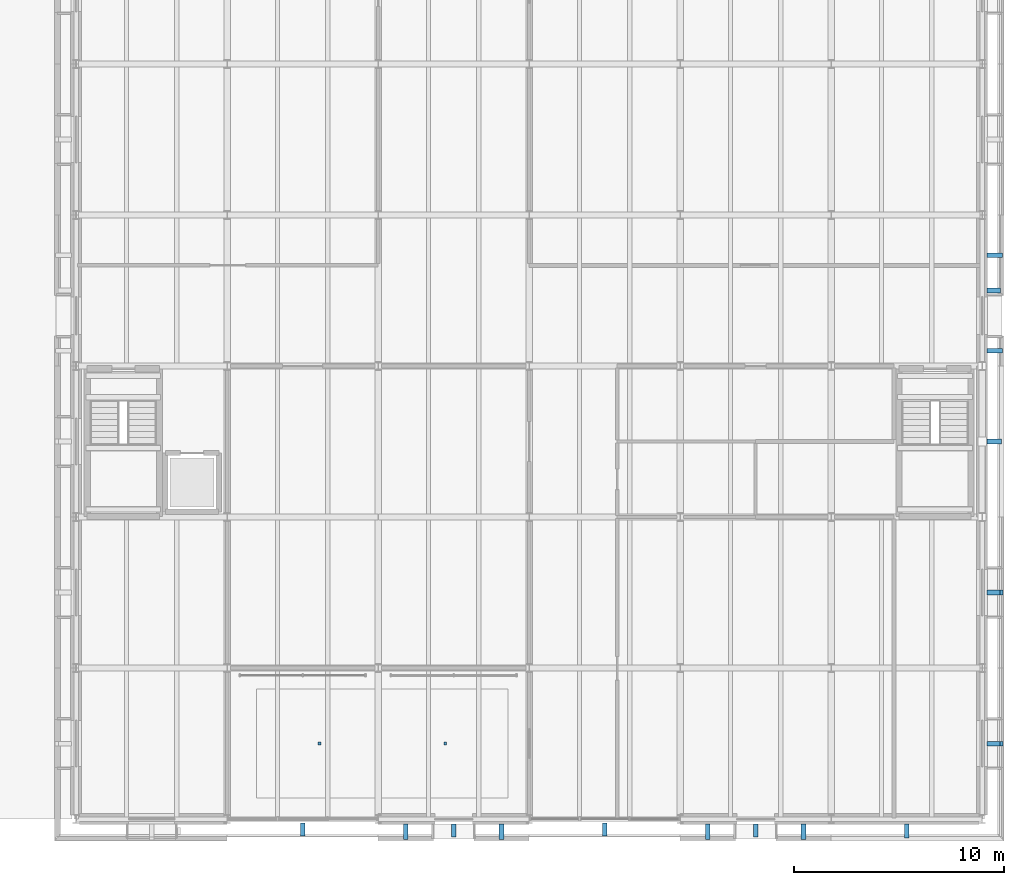
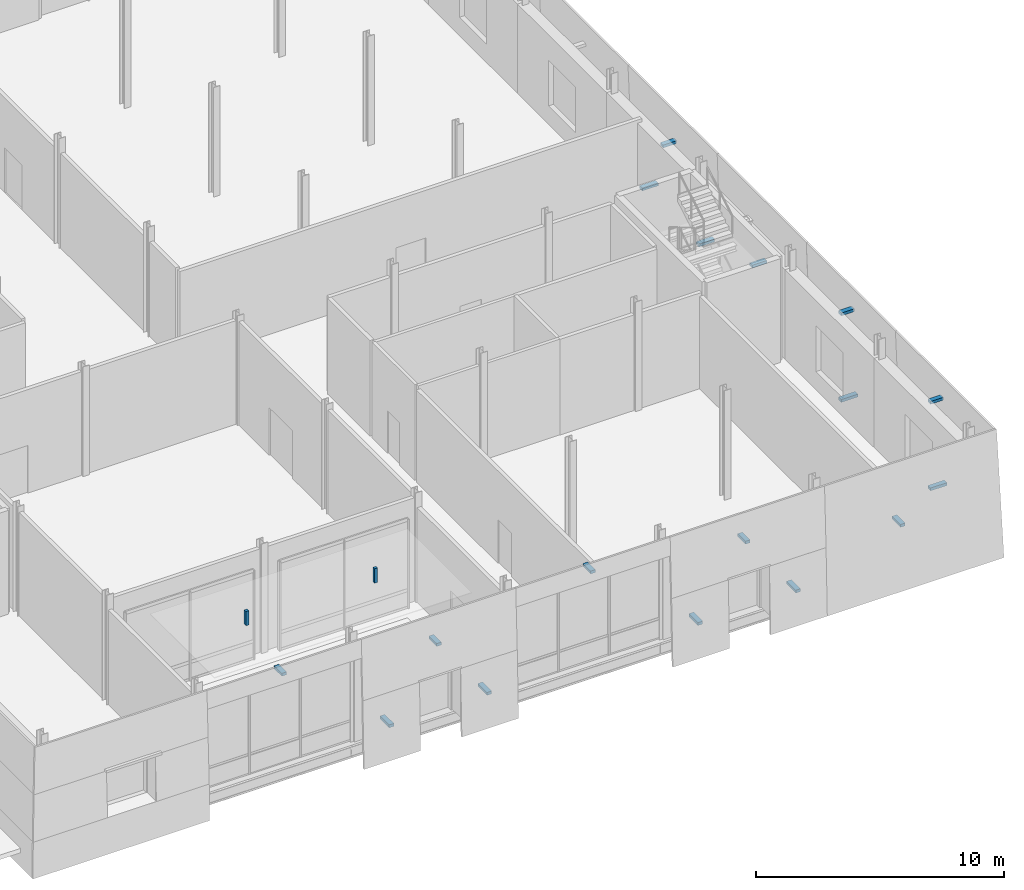
# One storey, part 94 of 120: 19 discrete accessories.
"""IFC4 building model written with IfcOpenShell, lengths in metres."""

from ifc_helpers import new_model, si_unit, direction, frame, origin, origin_2d, place, context, subcontext, project, spatial, rectangle, extrude, material, layer, layer_set, type_object, element, save


model = new_model("IFC4")

# Units and contexts
model_context = context("Model", 3, precision=1e-05, world=origin(), true_north=direction((0.0, 1.0)))
body_context = subcontext(model_context, "Body", "Model", "MODEL_VIEW")
ifc_project = project(units=[si_unit("LENGTHUNIT", "METRE"), si_unit("AREAUNIT", "SQUARE_METRE"), si_unit("VOLUMEUNIT", "CUBIC_METRE"), si_unit("PLANEANGLEUNIT", "RADIAN"), si_unit("MASSUNIT", "GRAM", prefix="KILO")], contexts=[model_context])

# Site, building, storey
site_placement = place(None, origin())
site = spatial("IfcSite", under=ifc_project, at=site_placement, CompositionType="ELEMENT")
building_placement = place(site_placement, origin())
building = spatial("IfcBuilding", under=site, at=building_placement, Name="Narikvali Park Central Library", CompositionType="ELEMENT")
storey_placement = place(building_placement, origin())
storey = spatial("IfcBuildingStorey", under=building, at=storey_placement, Name="L00", CompositionType="ELEMENT", Elevation=0.0)

# Discrete accessories
ifc_material_1 = material(Name="Brushed Stainless Steel S355", Category="steel")
ifc_layer_1 = layer(ifc_material_1, 0.139892578125, Name="Brushed Stainless Steel S355")
ifc_layer_set_1 = layer_set([ifc_layer_1], Name="Brushed Stainless Steel S355")
discrete_accessory_type_1 = type_object("IfcDiscreteAccessoryType", Name="Cladding Stainless Tie-Back Corbel Bracket", PredefinedType="BRACKET", material=ifc_layer_set_1)
discrete_accessory_1_placement = place(storey_placement, frame((133.199951171875, -0.503662109375, 4.8798828125), z_axis=(0.0, 0.0, 1.0), x_axis=(1.0, 0.0, 0.0)))
element("IfcDiscreteAccessory", 1, at=discrete_accessory_1_placement, inside=storey, type_object=discrete_accessory_type_1, Name="Limestone Cladding Tie-Back Bracket V6-CLD-L00-S-B02-HDR", PredefinedType="BRACKET", context=body_context, shape_type="SweptSolid", body=[
    extrude(rectangle(XDim=0.219970703125, YDim=0.62744140625, at=origin_2d()), origin(), (0.0, 0.0, 1.0), 0.139892578125),
])
for number, where, z_axis, x_axis, name in (
    (2, (138.1201171875, -0.60009765625, 0.7099609375), (0.0, 0.0, 1.0), (1.0, 0.0, 0.0), "Limestone Cladding Tie-Back Bracket V6-CLD-L00-S-B03-DL"),
    (3, (142.679931640625, -0.60009765625, 0.7099609375), (0.0, 0.0, 1.0), (1.0, 0.0, 0.0), "Limestone Cladding Tie-Back Bracket V6-CLD-L00-S-B03-DR"),
):
    element("IfcDiscreteAccessory", number, at=place(storey_placement, frame(where, z_axis=z_axis, x_axis=x_axis)), inside=storey, type_object=discrete_accessory_type_1, Name=name, PredefinedType="BRACKET", context=body_context, shape_type="SweptSolid", body=[
        extrude(rectangle(XDim=0.219970703125, YDim=0.739990234375, at=origin_2d()), origin(), (0.0, 0.0, 1.0), 0.139892578125),
    ])
discrete_accessory_2_placement = place(storey_placement, frame((140.39990234375, -0.544921875, 3.85009765625), z_axis=(0.0, 0.0, 1.0), x_axis=(1.0, 0.0, 0.0)))
element("IfcDiscreteAccessory", 4, at=discrete_accessory_2_placement, inside=storey, type_object=discrete_accessory_type_1, Name="Limestone Cladding Tie-Back Bracket V6-CLD-L00-S-B03-DH", PredefinedType="BRACKET", context=body_context, shape_type="SweptSolid", body=[
    extrude(rectangle(XDim=0.219970703125, YDim=0.629638671875, at=origin_2d()), origin(), (0.0, 0.0, 1.0), 0.139892578125),
])
discrete_accessory_3_placement = place(storey_placement, frame((147.60009765625, -0.503662109375, 4.8798828125), z_axis=(0.0, 0.0, 1.0), x_axis=(1.0, 0.0, 0.0)))
element("IfcDiscreteAccessory", 5, at=discrete_accessory_3_placement, inside=storey, type_object=discrete_accessory_type_1, Name="Limestone Cladding Tie-Back Bracket V6-CLD-L00-S-B04-HDR", PredefinedType="BRACKET", context=body_context, shape_type="SweptSolid", body=[
    extrude(rectangle(XDim=0.219970703125, YDim=0.62744140625, at=origin_2d()), origin(), (0.0, 0.0, 1.0), 0.139892578125),
])
for number, where, z_axis, x_axis, name in (
    (6, (152.52001953125, -0.60009765625, 0.7099609375), (0.0, 0.0, 1.0), (1.0, 0.0, 0.0), "Limestone Cladding Tie-Back Bracket V6-CLD-L00-S-B05-DL"),
    (7, (157.080078125, -0.60009765625, 0.7099609375), (0.0, 0.0, 1.0), (1.0, 0.0, 0.0), "Limestone Cladding Tie-Back Bracket V6-CLD-L00-S-B05-DR"),
):
    element("IfcDiscreteAccessory", number, at=place(storey_placement, frame(where, z_axis=z_axis, x_axis=x_axis)), inside=storey, type_object=discrete_accessory_type_1, Name=name, PredefinedType="BRACKET", context=body_context, shape_type="SweptSolid", body=[
        extrude(rectangle(XDim=0.219970703125, YDim=0.739990234375, at=origin_2d()), origin(), (0.0, 0.0, 1.0), 0.139892578125),
    ])
discrete_accessory_4_placement = place(storey_placement, frame((154.800048828125, -0.544921875, 3.85009765625), z_axis=(0.0, 0.0, 1.0), x_axis=(1.0, 0.0, 0.0)))
element("IfcDiscreteAccessory", 8, at=discrete_accessory_4_placement, inside=storey, type_object=discrete_accessory_type_1, Name="Limestone Cladding Tie-Back Bracket V6-CLD-L00-S-B05-DH", PredefinedType="BRACKET", context=body_context, shape_type="SweptSolid", body=[
    extrude(rectangle(XDim=0.219970703125, YDim=0.629638671875, at=origin_2d()), origin(), (0.0, 0.0, 1.0), 0.139892578125),
])
discrete_accessory_5_placement = place(storey_placement, frame((162.0, -0.569580078125, 2.18994140625), z_axis=(0.0, 0.0, 1.0), x_axis=(1.0, 0.0, 0.0)))
element("IfcDiscreteAccessory", 9, at=discrete_accessory_5_placement, inside=storey, type_object=discrete_accessory_type_1, Name="Limestone Cladding Tie-Back Bracket V6-CLD-L00-S-B06-FULL", PredefinedType="BRACKET", context=body_context, shape_type="SweptSolid", body=[
    extrude(rectangle(XDim=0.219970703125, YDim=0.679443359375, at=origin_2d()), origin(), (0.0, 0.0, 1.0), 0.139892578125),
])
discrete_accessory_6_placement = place(storey_placement, frame((166.2158203125, 3.60009765625, -0.06005859375), z_axis=(0.0, 0.0, 1.0), x_axis=(1.0, 0.0, 0.0)))
element("IfcDiscreteAccessory", 10, at=discrete_accessory_6_placement, inside=storey, type_object=discrete_accessory_type_1, Name="Limestone Cladding Tie-Back Bracket V6-CLD-L00-E-B01-SP", PredefinedType="BRACKET", context=body_context, shape_type="SweptSolid", body=[
    extrude(rectangle(XDim=0.771484375, YDim=0.219970703125, at=origin_2d()), origin(), (0.0, 0.0, 1.0), 0.139892578125),
])
discrete_accessory_7_placement = place(storey_placement, frame((166.137451171875, 3.60009765625, 4.205078125), z_axis=(0.0, 0.0, 1.0), x_axis=(1.0, 0.0, 0.0)))
element("IfcDiscreteAccessory", 11, at=discrete_accessory_7_placement, inside=storey, type_object=discrete_accessory_type_1, Name="Limestone Cladding Tie-Back Bracket V6-CLD-L00-E-B01-LN", PredefinedType="BRACKET", context=body_context, shape_type="SweptSolid", body=[
    extrude(rectangle(XDim=0.614990234375, YDim=0.219970703125, at=origin_2d()), origin(), (0.0, 0.0, 1.0), 0.139892578125),
])
discrete_accessory_8_placement = place(storey_placement, frame((166.2158203125, 10.800048828125, -0.06005859375), z_axis=(0.0, 0.0, 1.0), x_axis=(1.0, 0.0, 0.0)))
element("IfcDiscreteAccessory", 12, at=discrete_accessory_8_placement, inside=storey, type_object=discrete_accessory_type_1, Name="Limestone Cladding Tie-Back Bracket V6-CLD-L00-E-B02-SP", PredefinedType="BRACKET", context=body_context, shape_type="SweptSolid", body=[
    extrude(rectangle(XDim=0.771484375, YDim=0.219970703125, at=origin_2d()), origin(), (0.0, 0.0, 1.0), 0.139892578125),
])
discrete_accessory_9_placement = place(storey_placement, frame((166.137451171875, 10.800048828125, 4.205078125), z_axis=(0.0, 0.0, 1.0), x_axis=(1.0, 0.0, 0.0)))
element("IfcDiscreteAccessory", 13, at=discrete_accessory_9_placement, inside=storey, type_object=discrete_accessory_type_1, Name="Limestone Cladding Tie-Back Bracket V6-CLD-L00-E-B02-LN", PredefinedType="BRACKET", context=body_context, shape_type="SweptSolid", body=[
    extrude(rectangle(XDim=0.614990234375, YDim=0.219970703125, at=origin_2d()), origin(), (0.0, 0.0, 1.0), 0.139892578125),
])
discrete_accessory_10_placement = place(storey_placement, frame((166.169677734375, 18.0, 2.18994140625), z_axis=(0.0, 0.0, 1.0), x_axis=(1.0, 0.0, 0.0)))
element("IfcDiscreteAccessory", 14, at=discrete_accessory_10_placement, inside=storey, type_object=discrete_accessory_type_1, Name="Limestone Cladding Tie-Back Bracket V6-CLD-L00-E-B03-FULL", PredefinedType="BRACKET", context=body_context, shape_type="SweptSolid", body=[
    extrude(rectangle(XDim=0.679443359375, YDim=0.219970703125, at=origin_2d()), origin(), (0.0, 0.0, 1.0), 0.139892578125),
])
for number, where, z_axis, x_axis, name in (
    (15, (166.2021484375, 22.320068359375, 0.60986328125), (0.0, 0.0, 1.0), (1.0, 0.0, 0.0), "Limestone Cladding Tie-Back Bracket V6-CLD-L00-E-B04-DL"),
    (16, (166.2021484375, 26.8798828125, 0.60986328125), (0.0, 0.0, 1.0), (1.0, 0.0, 0.0), "Limestone Cladding Tie-Back Bracket V6-CLD-L00-E-B04-DR"),
):
    element("IfcDiscreteAccessory", number, at=place(storey_placement, frame(where, z_axis=z_axis, x_axis=x_axis)), inside=storey, type_object=discrete_accessory_type_1, Name=name, PredefinedType="BRACKET", context=body_context, shape_type="SweptSolid", body=[
        extrude(rectangle(XDim=0.744140625, YDim=0.219970703125, at=origin_2d()), origin(), (0.0, 0.0, 1.0), 0.139892578125),
    ])
discrete_accessory_11_placement = place(storey_placement, frame((166.146728515625, 25.199951171875, 3.75), z_axis=(0.0, 0.0, 1.0), x_axis=(1.0, 0.0, 0.0)))
element("IfcDiscreteAccessory", 17, at=discrete_accessory_11_placement, inside=storey, type_object=discrete_accessory_type_1, Name="Limestone Cladding Tie-Back Bracket V6-CLD-L00-E-B04-DH", PredefinedType="BRACKET", context=body_context, shape_type="SweptSolid", body=[
    extrude(rectangle(XDim=0.6337890625, YDim=0.219970703125, at=origin_2d()), origin(), (0.0, 0.0, 1.0), 0.139892578125),
])
ifc_material_2 = material(Name="Galvanised Steel S355", Category="steel")
ifc_layer_2 = layer(ifc_material_2, 0.7099609375, Name="Galvanised Steel S355")
ifc_layer_set_2 = layer_set([ifc_layer_2], Name="Galvanised Steel S355")
discrete_accessory_type_2 = type_object("IfcDiscreteAccessoryType", Name="Suspended Ceiling Hanger Rod Assembly", PredefinedType="BRACKET", material=ifc_layer_set_2)
for number, where, z_axis, x_axis, name in (
    (18, (134.0, 3.60009765625, 4.429931640625), (0.0, 0.0, 1.0), (1.0, 0.0, 0.0), "V6 L00 Ceiling Suspension Hanger 08-1"),
    (19, (140.0, 3.60009765625, 4.429931640625), (0.0, 0.0, 1.0), (1.0, 0.0, 0.0), "V6 L00 Ceiling Suspension Hanger 08-2"),
):
    element("IfcDiscreteAccessory", number, at=place(storey_placement, frame(where, z_axis=z_axis, x_axis=x_axis)), inside=storey, type_object=discrete_accessory_type_2, Name=name, PredefinedType="BRACKET", context=body_context, shape_type="SweptSolid", body=[
        extrude(rectangle(XDim=0.139892578125, YDim=0.139892578125, at=origin_2d()), origin(), (0.0, 0.0, 1.0), 0.7099609375),
    ])

save(model, "model.ifc")
